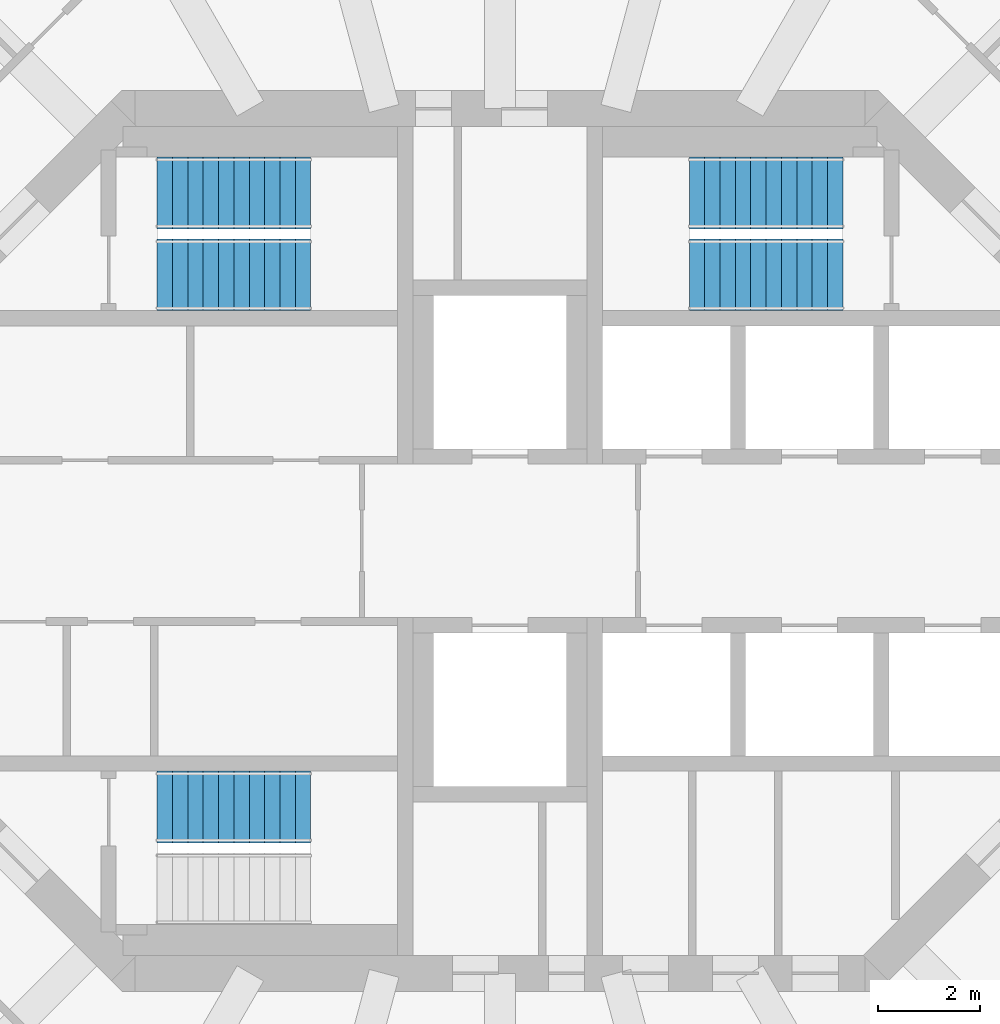
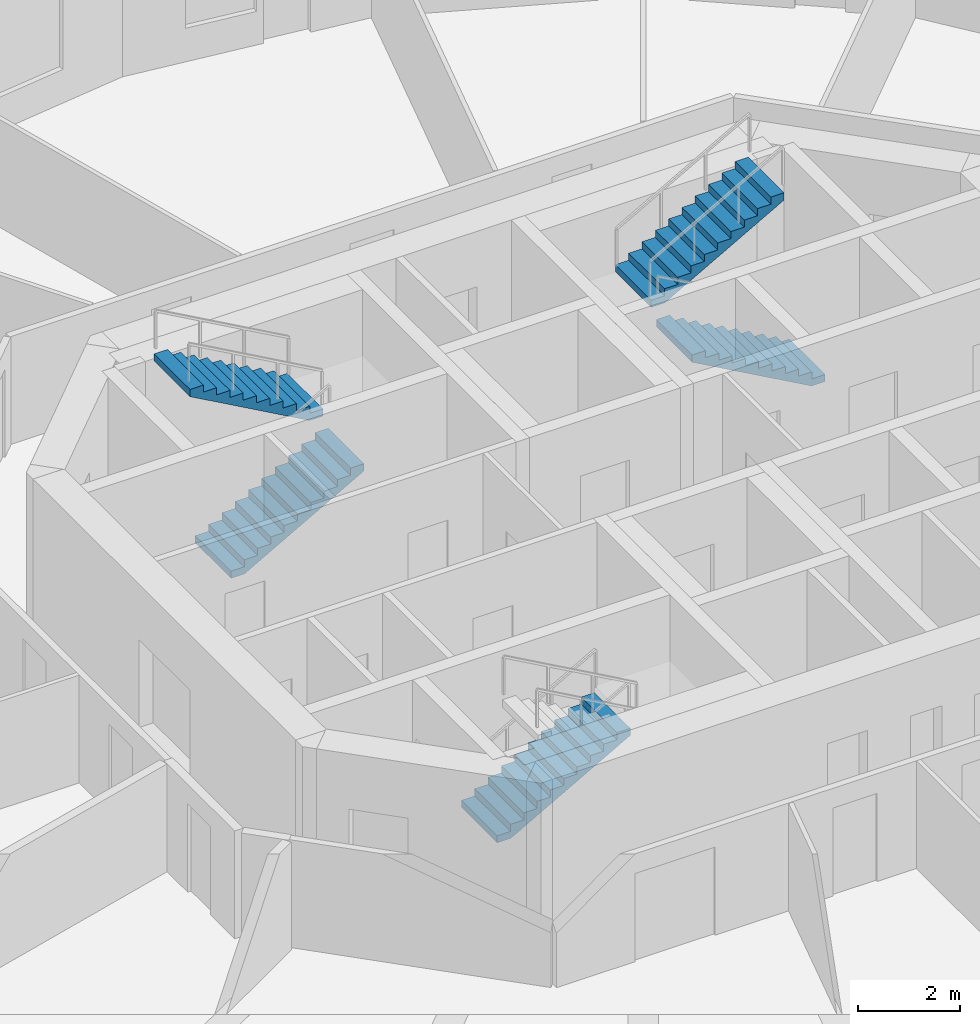
# One storey, part 7 of 9: 5 stair flights, 3 elements without a shape of their own.
"""IFC4 building model written with IfcOpenShell, lengths in metres."""

from ifc_helpers import new_model, si_unit, direction, frame, origin, place, context, subcontext, project, spatial, polyline, outline, extrude, material, type_object, element, aggregate, save


model = new_model("IFC4")

# Units and contexts
model_context = context("Model", 3, precision=1e-05, world=origin(), true_north=direction((0.0, 1.0)))
body_context = subcontext(model_context, "Body", "Model", "MODEL_VIEW")
ifc_project = project(units=[si_unit("LENGTHUNIT", "METRE"), si_unit("AREAUNIT", "SQUARE_METRE"), si_unit("VOLUMEUNIT", "CUBIC_METRE"), si_unit("PLANEANGLEUNIT", "RADIAN"), si_unit("MASSUNIT", "GRAM", prefix="KILO")], contexts=[model_context])

# Site, building, storey
site_placement = place(None, origin())
site = spatial("IfcSite", under=ifc_project, at=site_placement, CompositionType="ELEMENT")
building_placement = place(site_placement, origin())
building = spatial("IfcBuilding", under=site, at=building_placement, Name="Torre Triforio", CompositionType="ELEMENT")
storey_placement = place(building_placement, frame((0.0, 0.0, 240.89990234375)))
storey = spatial("IfcBuildingStorey", under=building, at=storey_placement, Name="L55", CompositionType="ELEMENT", Elevation=240.89990234375)

# Stair, stair flights
ifc_material = material(Name="Concrete C40", Category="concrete")
stair_type = type_object("IfcStairType", Name="STAIR HALF-TURN", PredefinedType="HALF_TURN_STAIR", material=ifc_material)
stair_1_placement = place(storey_placement, origin())
stair_1 = element("IfcStair", 1, at=stair_1_placement, inside=storey, type_object=stair_type, Name="Exit stair 1", PredefinedType="HALF_TURN_STAIR")
stair_flight_type = type_object("IfcStairFlightType", Name="STAIR FLIGHT 1400", PredefinedType="STRAIGHT", material=ifc_material)
stair_flight_1_placement = place(storey_placement, frame((-6.699951171875, 5.199951171875, 0.0), z_axis=(0.0, 0.0, 1.0), x_axis=(1.0, 0.0, 0.0)))
stair_flight_1 = element("IfcStairFlight", 2, at=stair_flight_1_placement, type_object=stair_flight_type, Name="ST1 flight 1", NumberOfRisers=11, NumberOfTreads=10, PredefinedType="STRAIGHT", RiserHeight=0.168181818, TreadLength=0.3, context=body_context, shape_type="SweptSolid", body=[
    extrude(outline(polyline([(0.0, 0.0), (0.0, 0.168212890625), (0.300048828125, 0.168212890625), (0.300048828125, 0.33642578125), (0.60009765625, 0.33642578125), (0.60009765625, 0.504638671875), (0.89990234375, 0.504638671875), (0.89990234375, 0.672607421875), (1.199951171875, 0.672607421875), (1.199951171875, 0.8408203125), (1.5, 0.8408203125), (1.5, 1.009033203125), (1.800048828125, 1.009033203125), (1.800048828125, 1.17724609375), (2.10009765625, 1.17724609375), (2.10009765625, 1.345458984375), (2.39990234375, 1.345458984375), (2.39990234375, 1.513671875), (2.699951171875, 1.513671875), (2.699951171875, 1.681884765625), (3.0, 1.681884765625), (3.0, 1.85009765625), (3.0, 1.510009765625), (0.306640625, 0.0), (0.0, 0.0)])), frame((0.0, 0.699951171875, 0.0), z_axis=(0.0, -1.0, 0.0), x_axis=(1.0, 0.0, 0.0)), (0.0, 0.0, 1.0), 1.39990234375),
])
stair_flight_2_placement = place(storey_placement, frame((-3.699951171875, 6.800048828125, 1.85009765625), z_axis=(0.0, 0.0, 1.0), x_axis=(-1.0, 0.0, 0.0)))
stair_flight_2 = element("IfcStairFlight", 3, at=stair_flight_2_placement, type_object=stair_flight_type, Name="ST1 flight 2", NumberOfRisers=11, NumberOfTreads=10, PredefinedType="STRAIGHT", RiserHeight=0.168181818, TreadLength=0.3, context=body_context, shape_type="SweptSolid", body=[
    extrude(outline(polyline([(0.0, 0.0), (0.0, 0.168212890625), (0.300048828125, 0.168212890625), (0.300048828125, 0.33642578125), (0.60009765625, 0.33642578125), (0.60009765625, 0.504638671875), (0.89990234375, 0.504638671875), (0.89990234375, 0.672607421875), (1.199951171875, 0.672607421875), (1.199951171875, 0.8408203125), (1.5, 0.8408203125), (1.5, 1.009033203125), (1.800048828125, 1.009033203125), (1.800048828125, 1.17724609375), (2.10009765625, 1.17724609375), (2.10009765625, 1.345458984375), (2.39990234375, 1.345458984375), (2.39990234375, 1.513671875), (2.699951171875, 1.513671875), (2.699951171875, 1.681884765625), (3.0, 1.681884765625), (3.0, 1.85009765625), (3.0, 1.510009765625), (0.306640625, 0.0), (0.0, 0.0)])), frame((0.0, 0.699951171875, 0.0), z_axis=(0.0, -1.0, 0.0), x_axis=(1.0, 0.0, 0.0)), (0.0, 0.0, 1.0), 1.39990234375),
])
aggregate(stair_1, [stair_flight_1, stair_flight_2])

stair_2_placement = place(storey_placement, origin())
stair_2 = element("IfcStair", 4, at=stair_2_placement, inside=storey, type_object=stair_type, Name="Exit stair 2", PredefinedType="HALF_TURN_STAIR")
stair_flight_3_placement = place(storey_placement, frame((6.699951171875, 5.199951171875, 0.0), z_axis=(0.0, 0.0, 1.0), x_axis=(-1.0, 0.0, 0.0)))
stair_flight_3 = element("IfcStairFlight", 5, at=stair_flight_3_placement, type_object=stair_flight_type, Name="ST2 flight 1", NumberOfRisers=11, NumberOfTreads=10, PredefinedType="STRAIGHT", RiserHeight=0.168181818, TreadLength=0.3, context=body_context, shape_type="SweptSolid", body=[
    extrude(outline(polyline([(0.0, 0.0), (0.0, 0.168212890625), (0.300048828125, 0.168212890625), (0.300048828125, 0.33642578125), (0.60009765625, 0.33642578125), (0.60009765625, 0.504638671875), (0.89990234375, 0.504638671875), (0.89990234375, 0.672607421875), (1.199951171875, 0.672607421875), (1.199951171875, 0.8408203125), (1.5, 0.8408203125), (1.5, 1.009033203125), (1.800048828125, 1.009033203125), (1.800048828125, 1.17724609375), (2.10009765625, 1.17724609375), (2.10009765625, 1.345458984375), (2.39990234375, 1.345458984375), (2.39990234375, 1.513671875), (2.699951171875, 1.513671875), (2.699951171875, 1.681884765625), (3.0, 1.681884765625), (3.0, 1.85009765625), (3.0, 1.510009765625), (0.306640625, 0.0), (0.0, 0.0)])), frame((0.0, 0.699951171875, 0.0), z_axis=(0.0, -1.0, 0.0), x_axis=(1.0, 0.0, 0.0)), (0.0, 0.0, 1.0), 1.39990234375),
])
stair_flight_4_placement = place(storey_placement, frame((3.699951171875, 6.800048828125, 1.85009765625), z_axis=(0.0, 0.0, 1.0), x_axis=(1.0, 0.0, 0.0)))
stair_flight_4 = element("IfcStairFlight", 6, at=stair_flight_4_placement, type_object=stair_flight_type, Name="ST2 flight 2", NumberOfRisers=11, NumberOfTreads=10, PredefinedType="STRAIGHT", RiserHeight=0.168181818, TreadLength=0.3, context=body_context, shape_type="SweptSolid", body=[
    extrude(outline(polyline([(0.0, 0.0), (0.0, 0.168212890625), (0.300048828125, 0.168212890625), (0.300048828125, 0.33642578125), (0.60009765625, 0.33642578125), (0.60009765625, 0.504638671875), (0.89990234375, 0.504638671875), (0.89990234375, 0.672607421875), (1.199951171875, 0.672607421875), (1.199951171875, 0.8408203125), (1.5, 0.8408203125), (1.5, 1.009033203125), (1.800048828125, 1.009033203125), (1.800048828125, 1.17724609375), (2.10009765625, 1.17724609375), (2.10009765625, 1.345458984375), (2.39990234375, 1.345458984375), (2.39990234375, 1.513671875), (2.699951171875, 1.513671875), (2.699951171875, 1.681884765625), (3.0, 1.681884765625), (3.0, 1.85009765625), (3.0, 1.510009765625), (0.306640625, 0.0), (0.0, 0.0)])), frame((0.0, 0.699951171875, 0.0), z_axis=(0.0, -1.0, 0.0), x_axis=(1.0, 0.0, 0.0)), (0.0, 0.0, 1.0), 1.39990234375),
])
aggregate(stair_2, [stair_flight_3, stair_flight_4])

# Stair, stair flight
stair_3_placement = place(storey_placement, origin())
stair_3 = element("IfcStair", 7, at=stair_3_placement, inside=storey, type_object=stair_type, Name="Exit stair 3", PredefinedType="HALF_TURN_STAIR")
stair_flight_5_placement = place(storey_placement, frame((-6.699951171875, -5.199951171875, 0.0), z_axis=(0.0, 0.0, 1.0), x_axis=(1.0, 0.0, 0.0)))
stair_flight_5 = element("IfcStairFlight", 8, at=stair_flight_5_placement, type_object=stair_flight_type, Name="ST3 flight 1", NumberOfRisers=11, NumberOfTreads=10, PredefinedType="STRAIGHT", RiserHeight=0.168181818, TreadLength=0.3, context=body_context, shape_type="SweptSolid", body=[
    extrude(outline(polyline([(0.0, 0.0), (0.0, 0.168212890625), (0.300048828125, 0.168212890625), (0.300048828125, 0.33642578125), (0.60009765625, 0.33642578125), (0.60009765625, 0.504638671875), (0.89990234375, 0.504638671875), (0.89990234375, 0.672607421875), (1.199951171875, 0.672607421875), (1.199951171875, 0.8408203125), (1.5, 0.8408203125), (1.5, 1.009033203125), (1.800048828125, 1.009033203125), (1.800048828125, 1.17724609375), (2.10009765625, 1.17724609375), (2.10009765625, 1.345458984375), (2.39990234375, 1.345458984375), (2.39990234375, 1.513671875), (2.699951171875, 1.513671875), (2.699951171875, 1.681884765625), (3.0, 1.681884765625), (3.0, 1.85009765625), (3.0, 1.510009765625), (0.306640625, 0.0), (0.0, 0.0)])), frame((0.0, 0.699951171875, 0.0), z_axis=(0.0, -1.0, 0.0), x_axis=(1.0, 0.0, 0.0)), (0.0, 0.0, 1.0), 1.39990234375),
])
aggregate(stair_3, [stair_flight_5])

save(model, "model.ifc")
